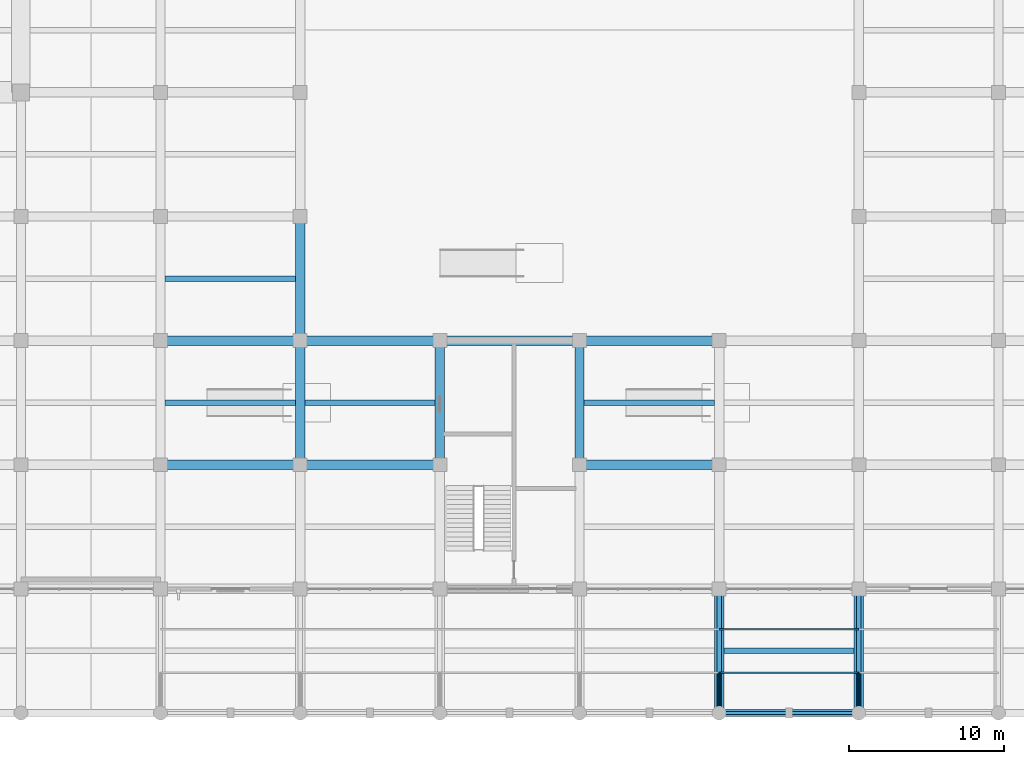
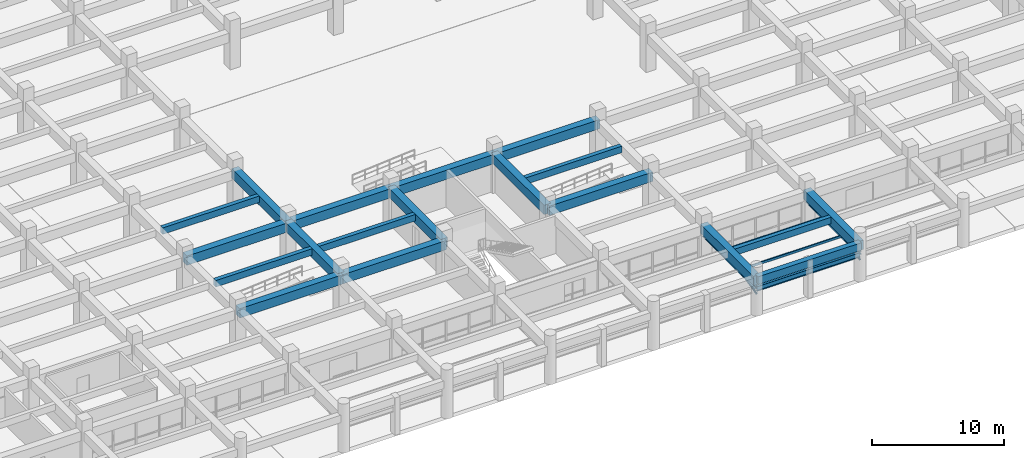
# One storey, part 6 of 40: 20 beams, 6 members.
"""IFC4 building model written with IfcOpenShell, lengths in metres."""

import ifcopenshell
import ifcopenshell.guid

model = None  # the IFC model being written
_history = None  # IfcOwnerHistory: only IFC2X3 demands one
_inside = {}  # id of a spatial element -> (the spatial element, [elements in it])
_under = {}  # id of a project, library or spatial element -> (it, [spatial elements below it])
_declared = {}  # id of a project -> (the project, [libraries it declares])
_typed = {}  # id of a type object -> (the type object, [elements of that type])
_made_of = {}  # id of a material, layer set ... -> (it, [elements and type objects made of it])


def new_model(schema):
    """Start an empty IFC model of exactly this schema.

    Asked for "IFC4X3", IfcOpenShell would pick the latest addendum, in which some entities
    have other attributes; the version numbers below select the first issue.
    IFC2X3 requires an IfcOwnerHistory on every rooted entity: one is made here for all.
    """
    global model, _history
    if schema == "IFC4X3":
        model = ifcopenshell.file(schema_version=(4, 3, 0, 0))
    else:
        model = ifcopenshell.file(schema=schema)
    _inside.clear()
    _under.clear()
    _declared.clear()
    _typed.clear()
    _made_of.clear()
    _history = None
    if model.schema == "IFC2X3":
        org = make("IfcOrganization", Name="unknown")
        user = make(
            "IfcPersonAndOrganization",
            ThePerson=make("IfcPerson", FamilyName="unknown"),
            TheOrganization=org,
        )
        app = make(
            "IfcApplication",
            ApplicationDeveloper=org,
            Version="unknown",
            ApplicationFullName="unknown",
            ApplicationIdentifier="unknown",
        )
        _history = make(
            "IfcOwnerHistory",
            OwningUser=user,
            OwningApplication=app,
            ChangeAction="ADDED",
            CreationDate=0,
        )
    return model


def make(cls, **values):
    """One entity of the class cls with the attributes given. An attribute that is None is left unset."""
    return model.create_entity(
        cls, **{name: value for name, value in values.items() if value is not None}
    )


def rooted(cls, **values):
    """An entity with a GlobalId (a new one), such as an element, a storey or a relation."""
    return make(cls, GlobalId=ifcopenshell.guid.new(), OwnerHistory=_history, **values)


def si_unit(unit_type, name, prefix=None):
    """IfcSIUnit, for example si_unit("LENGTHUNIT", "METRE", prefix="MILLI")."""
    return make("IfcSIUnit", UnitType=unit_type, Prefix=prefix, Name=name)


def assignment(units):
    """IfcUnitAssignment: the units of a project."""
    return None if units is None else make("IfcUnitAssignment", Units=units)


def point(xyz):
    """IfcCartesianPoint."""
    return None if xyz is None else make("IfcCartesianPoint", Coordinates=xyz)


def direction(xyz):
    """IfcDirection."""
    return None if xyz is None else make("IfcDirection", DirectionRatios=xyz)


def frame(location, z_axis=None, x_axis=None):
    """IfcAxis2Placement3D, a coordinate frame: its origin and axes. An axis left out is left unset."""
    return make(
        "IfcAxis2Placement3D",
        Location=point(location),
        Axis=direction(z_axis),
        RefDirection=direction(x_axis),
    )


def frame_2d(location, x_axis=None):
    """IfcAxis2Placement2D, a coordinate frame in the plane: its origin and x axis."""
    return make(
        "IfcAxis2Placement2D", Location=point(location), RefDirection=direction(x_axis)
    )


def origin():
    """The frame at (0, 0, 0) with its axes left unset."""
    return frame((0.0, 0.0, 0.0))


def origin_2d():
    """The frame at (0, 0) in the plane with its x axis left unset."""
    return frame_2d((0.0, 0.0))


def place(relative_to, where):
    """IfcLocalPlacement: puts the frame where relative to a parent placement (None: the world)."""
    return make(
        "IfcLocalPlacement", PlacementRelTo=relative_to, RelativePlacement=where
    )


def context(
    kind, dimensions, precision=None, world=None, true_north=None, identifier=None
):
    """IfcGeometricRepresentationContext, for example the 3D "Model" context."""
    return make(
        "IfcGeometricRepresentationContext",
        ContextIdentifier=identifier,
        ContextType=kind,
        CoordinateSpaceDimension=dimensions,
        Precision=precision,
        WorldCoordinateSystem=world,
        TrueNorth=true_north,
    )


def subcontext(parent, identifier, kind, view, scale=None):
    """IfcGeometricRepresentationSubContext, for example "Body" below "Model"."""
    return make(
        "IfcGeometricRepresentationSubContext",
        ContextIdentifier=identifier,
        ContextType=kind,
        ParentContext=parent,
        TargetScale=scale,
        TargetView=view,
    )


def project(units=None, contexts=None):
    """IfcProject with its units and contexts."""
    return rooted(
        "IfcProject",
        Name="project",
        RepresentationContexts=contexts,
        UnitsInContext=assignment(units),
    )


def spatial(cls, under=None, at=None, **own):
    """A site, building, storey or space (cls), placed at a placement, below another one or the project."""
    s = rooted(cls, ObjectPlacement=at, **own)
    if under is not None:
        _under.setdefault(under.id(), (under, []))[1].append(s)
    return s


def profile(cls, at=None, kind="AREA", **sizes):
    """A parametric profile (cls). Its sizes go by their IFC names, for example OverallWidth=200.0."""
    return make(cls, ProfileType=kind, Position=at, **sizes)


def rectangle(**sizes):
    """IfcRectangleProfileDef."""
    return profile("IfcRectangleProfileDef", **sizes)


def hollow_rectangle(**sizes):
    """IfcRectangleHollowProfileDef."""
    return profile("IfcRectangleHollowProfileDef", **sizes)


def hollow_circle(**sizes):
    """IfcCircleHollowProfileDef."""
    return profile("IfcCircleHollowProfileDef", **sizes)


def i_section(**sizes):
    """IfcIShapeProfileDef."""
    return profile("IfcIShapeProfileDef", **sizes)


def extrude(swept, where, along, depth):
    """IfcExtrudedAreaSolid: the profile swept, set in the frame where, extruded along a direction by depth."""
    return make(
        "IfcExtrudedAreaSolid",
        SweptArea=swept,
        Position=where,
        ExtrudedDirection=direction(along),
        Depth=depth,
    )


def shape(context_of_items, identifier, shape_type, items):
    """IfcShapeRepresentation: the items that make up one representation, for example the "Body"."""
    return make(
        "IfcShapeRepresentation",
        ContextOfItems=context_of_items,
        RepresentationIdentifier=identifier,
        RepresentationType=shape_type,
        Items=items,
    )


def material(Name=None, Category=None):
    """IfcMaterial."""
    return make("IfcMaterial", Name=Name, Category=Category)


def material_profile(
    of_material, cross_section, Name=None, Category=None, Priority=None
):
    """IfcMaterialProfile: a cross section and its material."""
    return make(
        "IfcMaterialProfile",
        Name=Name,
        Material=of_material,
        Profile=cross_section,
        Priority=Priority,
        Category=Category,
    )


def profile_set(profiles, Name=None, composite=None):
    """IfcMaterialProfileSet."""
    return make(
        "IfcMaterialProfileSet",
        Name=Name,
        MaterialProfiles=profiles,
        CompositeProfile=composite,
    )


def made_of(thing, what):
    """Note that an element or type object is made of a material, layer set ...; save() writes the relation."""
    if what is not None:
        _made_of.setdefault(what.id(), (what, []))[1].append(thing)
    return thing


def type_object(cls, material=None, **own):
    """A type object (cls), such as IfcWallType, which elements share."""
    return made_of(rooted(cls, **own), material)


def element(
    cls,
    number,
    at=None,
    inside=None,
    cuts=None,
    type_object=None,
    material=None,
    context=None,
    identifier="Body",
    shape_type=None,
    held_by="IfcProductDefinitionShape",
    body=None,
    shapes=None,
    **own,
):
    """One element of the class cls, such as IfcWall. Its Tag is "e" and its number.

    at: its placement. inside: the storey or other place that contains it. cuts: it is an
    opening in that element (IfcRelVoidsElement). A single representation is given by context,
    identifier, shape_type and body (its items); several are given by shapes. held_by: the class
    of the entity that holds the representations. save() writes the other relations.
    """
    e = rooted(cls, Tag="e%d" % number, ObjectPlacement=at, **own)
    if body is not None:
        shapes = [shape(context, identifier, shape_type, body)]
    if shapes is not None:
        e.Representation = make(held_by, Representations=shapes)
    if inside is not None:
        _inside.setdefault(inside.id(), (inside, []))[1].append(e)
    if cuts is not None:
        rooted(
            "IfcRelVoidsElement", RelatingBuildingElement=cuts, RelatedOpeningElement=e
        )
    if type_object is not None:
        _typed.setdefault(type_object.id(), (type_object, []))[1].append(e)
    return made_of(e, material)


def aggregate(whole, parts):
    """IfcRelAggregates: a whole, such as a stair, and the parts it consists of."""
    return rooted("IfcRelAggregates", RelatingObject=whole, RelatedObjects=parts)


def save(model, path):
    """Write the relations noted so far, then the file.

    IfcRelAggregates (storeys below a building ...), IfcRelContainedInSpatialStructure (elements
    in a storey), IfcRelDefinesByType, IfcRelAssociatesMaterial and IfcRelDeclares: one each for
    every whole, place, type object, material and project.
    """
    for whole, parts in _under.values():
        aggregate(whole, parts)
    for where, things in _inside.values():
        rooted(
            "IfcRelContainedInSpatialStructure",
            RelatedElements=things,
            RelatingStructure=where,
        )
    for kind, things in _typed.values():
        rooted("IfcRelDefinesByType", RelatedObjects=things, RelatingType=kind)
    for what, things in _made_of.values():
        rooted("IfcRelAssociatesMaterial", RelatedObjects=things, RelatingMaterial=what)
    for by, libraries in _declared.values():
        rooted("IfcRelDeclares", RelatingContext=by, RelatedDefinitions=libraries)
    model.write(path)


model = new_model("IFC4")

# Units and contexts
model_context = context("Model", 3, precision=1e-05, world=origin(), true_north=direction((0.0, 1.0)))
body_context = subcontext(model_context, "Body", "Model", "MODEL_VIEW")
ifc_project = project(units=[si_unit("LENGTHUNIT", "METRE"), si_unit("AREAUNIT", "SQUARE_METRE"), si_unit("VOLUMEUNIT", "CUBIC_METRE"), si_unit("PLANEANGLEUNIT", "RADIAN"), si_unit("MASSUNIT", "GRAM", prefix="KILO")], contexts=[model_context])

# Site, building, storey
site_placement = place(None, origin())
site = spatial("IfcSite", under=ifc_project, at=site_placement, CompositionType="ELEMENT")
building_placement = place(site_placement, origin())
building = spatial("IfcBuilding", under=site, at=building_placement, Name="Zaverband Oceanarium and Marine Research Institute", CompositionType="ELEMENT")
storey_placement = place(building_placement, origin())
storey = spatial("IfcBuildingStorey", under=building, at=storey_placement, Name="L00", CompositionType="ELEMENT", Elevation=0.0)

# Beams
ifc_material_1 = material(Name="Concrete C40/50", Category="concrete")
ifc_material_profile_1 = material_profile(ifc_material_1, rectangle(XDim=0.60009765625, YDim=0.85009765625, at=origin_2d()), Name="RC600x850")
ifc_profile_set_1 = profile_set([ifc_material_profile_1], Name="Concrete C40/50")
beam_type_1 = type_object("IfcBeamType", Name="BM-600x850", PredefinedType="BEAM", material=ifc_profile_set_1)
for number, where, z_axis, x_axis, name in (
    (1, (63.0, 16.0, 3.02490234375), (1.0, 0.0, 0.0), (0.0, 1.0, 0.0), "Primary floor girder BM-600x850"),
    (2, (72.0, 16.0, 3.02490234375), (1.0, 0.0, 0.0), (0.0, 1.0, 0.0), "Primary floor girder BM-600x850"),
    (3, (90.0, 16.0, 3.02490234375), (1.0, 0.0, 0.0), (0.0, 1.0, 0.0), "Primary floor girder BM-600x850"),
    (4, (63.0, 24.0, 3.02490234375), (1.0, 0.0, 0.0), (0.0, 1.0, 0.0), "Primary floor girder BM-600x850"),
    (5, (72.0, 24.0, 3.02490234375), (1.0, 0.0, 0.0), (0.0, 1.0, 0.0), "Primary floor girder BM-600x850"),
    (6, (81.0, 24.0, 3.02490234375), (1.0, 0.0, 0.0), (0.0, 1.0, 0.0), "Primary floor girder BM-600x850"),
    (7, (90.0, 24.0, 3.02490234375), (1.0, 0.0, 0.0), (0.0, 1.0, 0.0), "Primary floor girder BM-600x850"),
):
    element("IfcBeam", number, at=place(storey_placement, frame(where, z_axis=z_axis, x_axis=x_axis)), inside=storey, type_object=beam_type_1, Name=name, PredefinedType="BEAM", context=body_context, shape_type="SweptSolid", body=[
        extrude(rectangle(XDim=0.60009765625, YDim=0.85009765625, at=origin_2d()), origin(), (0.0, 0.0, 1.0), 9.0),
    ])
for number, where, z_axis, x_axis, name in (
    (8, (72.0, 16.0, 3.02490234375), (0.0, 1.0, 0.0), (-1.0, 0.0, 0.0), "Primary floor girder BM-600x850"),
    (9, (72.0, 24.0, 3.02490234375), (0.0, 1.0, 0.0), (-1.0, 0.0, 0.0), "Primary floor girder BM-600x850"),
    (10, (81.0, 16.0, 3.02490234375), (0.0, 1.0, 0.0), (-1.0, 0.0, 0.0), "Primary floor girder BM-600x850"),
    (11, (90.0, 16.0, 3.02490234375), (0.0, 1.0, 0.0), (-1.0, 0.0, 0.0), "Primary floor girder BM-600x850"),
    (12, (99.0, 0.0, 3.02490234375), (0.0, 1.0, 0.0), (-1.0, 0.0, 0.0), "Primary floor girder BM-600x850"),
    (13, (108.0, 0.0, 3.02490234375), (0.0, 1.0, 0.0), (-1.0, 0.0, 0.0), "Primary floor girder BM-600x850"),
):
    element("IfcBeam", number, at=place(storey_placement, frame(where, z_axis=z_axis, x_axis=x_axis)), inside=storey, type_object=beam_type_1, Name=name, PredefinedType="BEAM", context=body_context, shape_type="SweptSolid", body=[
        extrude(rectangle(XDim=0.60009765625, YDim=0.85009765625, at=origin_2d()), origin(), (0.0, 0.0, 1.0), 8.0),
    ])
ifc_material_profile_2 = material_profile(ifc_material_1, rectangle(XDim=0.35009765625, YDim=0.60009765625, at=origin_2d()), Name="RC350x600")
ifc_profile_set_2 = profile_set([ifc_material_profile_2], Name="Concrete C40/50")
beam_type_2 = type_object("IfcBeamType", Name="JST-350x600", PredefinedType="JOIST", material=ifc_profile_set_2)
for number, where, z_axis, x_axis, name in (
    (14, (63.300048828125, 20.0, 3.14990234375), (1.0, 0.0, 0.0), (0.0, 1.0, 0.0), "Secondary floor joist JST-350x600"),
    (15, (63.300048828125, 28.0, 3.14990234375), (1.0, 0.0, 0.0), (0.0, 1.0, 0.0), "Secondary floor joist JST-350x600"),
    (16, (72.300048828125, 20.0, 3.14990234375), (1.0, 0.0, 0.0), (0.0, 1.0, 0.0), "Secondary floor joist JST-350x600"),
    (17, (90.300048828125, 20.0, 3.14990234375), (1.0, 0.0, 0.0), (0.0, 1.0, 0.0), "Secondary floor joist JST-350x600"),
    (18, (99.300048828125, 4.0, 3.14990234375), (1.0, 0.0, 0.0), (0.0, 1.0, 0.0), "Secondary floor joist JST-350x600"),
):
    element("IfcBeam", number, at=place(storey_placement, frame(where, z_axis=z_axis, x_axis=x_axis)), inside=storey, type_object=beam_type_2, Name=name, PredefinedType="JOIST", context=body_context, shape_type="SweptSolid", body=[
        extrude(rectangle(XDim=0.35009765625, YDim=0.60009765625, at=origin_2d()), origin(), (0.0, 0.0, 1.0), 8.39990234375),
    ])

# Members
ifc_material_2 = material(Name="Steel S355", Category="steel")
ifc_material_profile_3 = material_profile(ifc_material_2, hollow_rectangle(XDim=0.10009765625, YDim=0.199951171875, WallThickness=0.008056640625, at=origin_2d()), Name="RHS200x100x8")
ifc_profile_set_3 = profile_set([ifc_material_profile_3], Name="Steel S355")
member_type_1 = type_object("IfcMemberType", Name="PUR-RHS200", PredefinedType="PURLIN", material=ifc_profile_set_3)
for number, where, z_axis, x_axis, name in (
    (19, (99.0, 2.60009765625, 2.3798828125), (1.0, 0.0, 0.0), (0.0, 1.0, 0.0), "Screen / canopy purlin PUR-RHS200"),
    (20, (99.0, 5.39990234375, 2.39990234375), (1.0, 0.0, 0.0), (0.0, 1.0, 0.0), "Screen / canopy purlin PUR-RHS200"),
):
    element("IfcMember", number, at=place(storey_placement, frame(where, z_axis=z_axis, x_axis=x_axis)), inside=storey, type_object=member_type_1, Name=name, PredefinedType="PURLIN", context=body_context, shape_type="SweptSolid", body=[
        extrude(hollow_rectangle(XDim=0.10009765625, YDim=0.199951171875, WallThickness=0.008056640625, at=origin_2d()), origin(), (0.0, 0.0, 1.0), 9.0),
    ])
ifc_material_profile_4 = material_profile(ifc_material_2, i_section(OverallWidth=0.280029296875, OverallDepth=0.27001953125, WebThickness=0.008056640625, FlangeThickness=0.012939453125, FilletRadius=0.02392578125, at=origin_2d()), Name="HEA280")
ifc_profile_set_4 = profile_set([ifc_material_profile_4], Name="Steel S355")
member_type_2 = type_object("IfcMemberType", Name="RAF-HEA280", PredefinedType="RAFTER", material=ifc_profile_set_4)
for number, where, z_axis, x_axis, name in (
    (21, (99.0, 0.0, 2.340087890625), (0.0, 0.999972049853, 0.007476597663), (-1.0, 0.0, 0.0), "Canopy / skylight rafter RAF-HEA280"),
    (22, (108.0, 0.0, 2.340087890625), (0.0, 0.999972049853, 0.007476597663), (-1.0, 0.0, 0.0), "Canopy / skylight rafter RAF-HEA280"),
):
    element("IfcMember", number, at=place(storey_placement, frame(where, z_axis=z_axis, x_axis=x_axis)), inside=storey, type_object=member_type_2, Name=name, PredefinedType="RAFTER", context=body_context, shape_type="SweptSolid", body=[
        extrude(i_section(OverallWidth=0.280029296875, OverallDepth=0.27001953125, WebThickness=0.008056640625, FlangeThickness=0.012939453125, FilletRadius=0.02392578125, at=origin_2d()), origin(), (0.0, 0.0, 1.0), 8.000244140625),
    ])

# Beams
ifc_material_profile_5 = material_profile(ifc_material_2, i_section(OverallWidth=0.18994140625, OverallDepth=0.449951171875, WebThickness=0.009521484375, FlangeThickness=0.0146484375, FilletRadius=0.02099609375, at=origin_2d()), Name="IPE450")
ifc_profile_set_5 = profile_set([ifc_material_profile_5], Name="Steel S355")
beam_type_3 = type_object("IfcBeamType", Name="SB-IPE450", PredefinedType="BEAM", material=ifc_profile_set_5)
beam_1_placement = place(storey_placement, frame((99.0, 0.0, 2.2548828125), z_axis=(1.0, 0.0, 0.0), x_axis=(0.0, 1.0, 0.0)))
element("IfcBeam", 23, at=beam_1_placement, inside=storey, type_object=beam_type_3, Name="Canopy spine beam SB-IPE450", PredefinedType="BEAM", context=body_context, shape_type="SweptSolid", body=[
    extrude(i_section(OverallWidth=0.18994140625, OverallDepth=0.449951171875, WebThickness=0.009521484375, FlangeThickness=0.0146484375, FilletRadius=0.02099609375, at=origin_2d()), origin(), (0.0, 0.0, 1.0), 9.0),
])
ifc_material_profile_6 = material_profile(ifc_material_1, rectangle(XDim=0.449951171875, YDim=0.699951171875, at=origin_2d()), Name="RC450x700")
ifc_profile_set_6 = profile_set([ifc_material_profile_6], Name="Concrete C40/50")
beam_type_4 = type_object("IfcBeamType", Name="SPN-450x700", PredefinedType="SPANDREL", material=ifc_profile_set_6)
beam_2_placement = place(storey_placement, frame((99.0, 0.0, 3.10009765625), z_axis=(1.0, 0.0, 0.0), x_axis=(0.0, 1.0, 0.0)))
element("IfcBeam", 24, at=beam_2_placement, inside=storey, type_object=beam_type_4, Name="Perimeter spandrel beam SPN-450x700", PredefinedType="SPANDREL", context=body_context, shape_type="SweptSolid", body=[
    extrude(rectangle(XDim=0.449951171875, YDim=0.699951171875, at=origin_2d()), origin(), (0.0, 0.0, 1.0), 9.0),
])

# Members
ifc_material_profile_7 = material_profile(ifc_material_2, hollow_circle(Radius=0.084228515625, WallThickness=0.00634765625, at=origin_2d()), Name="CHS168x6.3")
ifc_profile_set_7 = profile_set([ifc_material_profile_7], Name="Steel S355")
member_type_3 = type_object("IfcMemberType", Name="STR-CHS168", PredefinedType="STRUT", material=ifc_profile_set_7)
for number, where, z_axis, x_axis, name in (
    (25, (99.0, 0.0, 1.75), (0.0, 0.971888083866, 0.235443310458), (-1.0, 0.0, 0.0), "Canopy / tank strut STR-CHS168"),
    (26, (108.0, 0.0, 1.75), (0.0, 0.971888083866, 0.235443310458), (-1.0, 0.0, 0.0), "Canopy / tank strut STR-CHS168"),
):
    element("IfcMember", number, at=place(storey_placement, frame(where, z_axis=z_axis, x_axis=x_axis)), inside=storey, type_object=member_type_3, Name=name, PredefinedType="STRUT", context=body_context, shape_type="SweptSolid", body=[
        extrude(hollow_circle(Radius=0.084228515625, WallThickness=0.00634765625, at=origin_2d()), origin(), (0.0, 0.0, 1.0), 2.67529296875),
    ])

save(model, "model.ifc")
